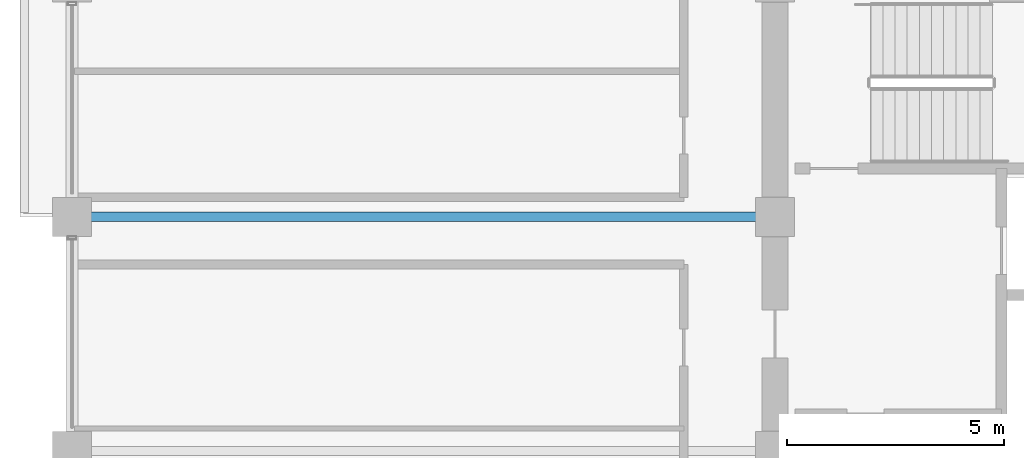
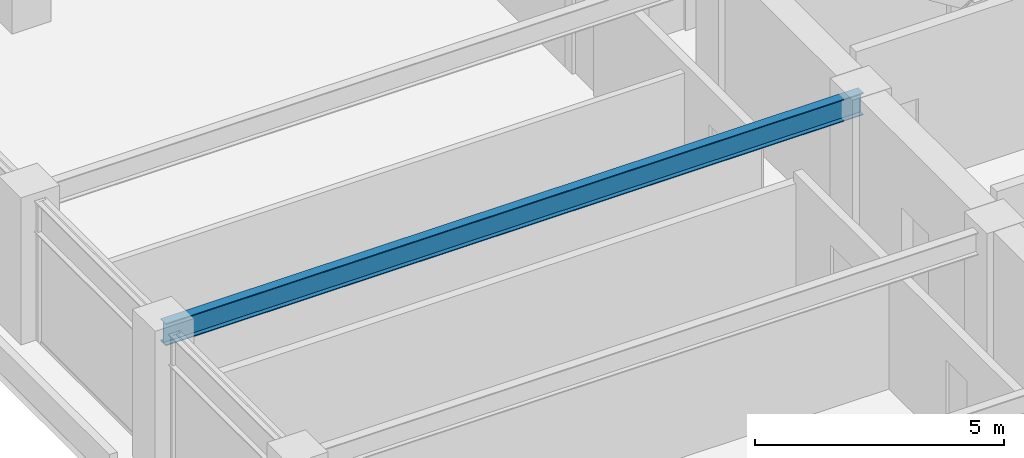
# One storey, part 11 of 31: 1 beam.
"""IFC4 building model written with IfcOpenShell, lengths in metres."""

from ifc_helpers import new_model, si_unit, direction, frame, origin, origin_2d, place, context, subcontext, project, spatial, i_section, extrude, material, material_profile, profile_set, type_object, element, save


model = new_model("IFC4")

# Units and contexts
model_context = context("Model", 3, precision=1e-05, world=origin(), true_north=direction((0.0, 1.0)))
body_context = subcontext(model_context, "Body", "Model", "MODEL_VIEW")
ifc_project = project(units=[si_unit("LENGTHUNIT", "METRE"), si_unit("AREAUNIT", "SQUARE_METRE"), si_unit("VOLUMEUNIT", "CUBIC_METRE"), si_unit("PLANEANGLEUNIT", "RADIAN"), si_unit("MASSUNIT", "GRAM", prefix="KILO")], contexts=[model_context])

# Site, building, storey
site_placement = place(None, origin())
site = spatial("IfcSite", under=ifc_project, at=site_placement, CompositionType="ELEMENT")
building_placement = place(site_placement, origin())
building = spatial("IfcBuilding", under=site, at=building_placement, Name="Surkhivell Harbour Commons", CompositionType="ELEMENT")
storey_placement = place(building_placement, frame((0.0, 0.0, 193.5)))
storey = spatial("IfcBuildingStorey", under=building, at=storey_placement, Name="L50", CompositionType="ELEMENT", Elevation=193.5)

# Beam
ifc_material = material(Name="Steel S355", Category="steel")
ifc_material_profile = material_profile(ifc_material, i_section(OverallWidth=0.2119140625, OverallDepth=0.5439453125, WebThickness=0.0126953125, FlangeThickness=0.021240234375, at=origin_2d()), Name="UB533x210x122")
ifc_profile_set = profile_set([ifc_material_profile], Name="Steel S355")
beam_type = type_object("IfcBeamType", Name="BM-GRD-533A", PredefinedType="BEAM", material=ifc_profile_set)
beam_placement = place(storey_placement, frame((-27.0, 5.39990234375, 3.298095703125), z_axis=(1.0, 0.0, 0.0), x_axis=(0.0, 1.0, 0.0)))
element("IfcBeam", 1, at=beam_placement, inside=storey, type_object=beam_type, Name="L50 Floor Girder (-27.0,5.4)", PredefinedType="BEAM", context=body_context, shape_type="SweptSolid", body=[
    extrude(i_section(OverallWidth=0.2119140625, OverallDepth=0.5439453125, WebThickness=0.0126953125, FlangeThickness=0.021240234375, at=origin_2d()), origin(), (0.0, 0.0, 1.0), 16.199951171875),
])

save(model, "model.ifc")
